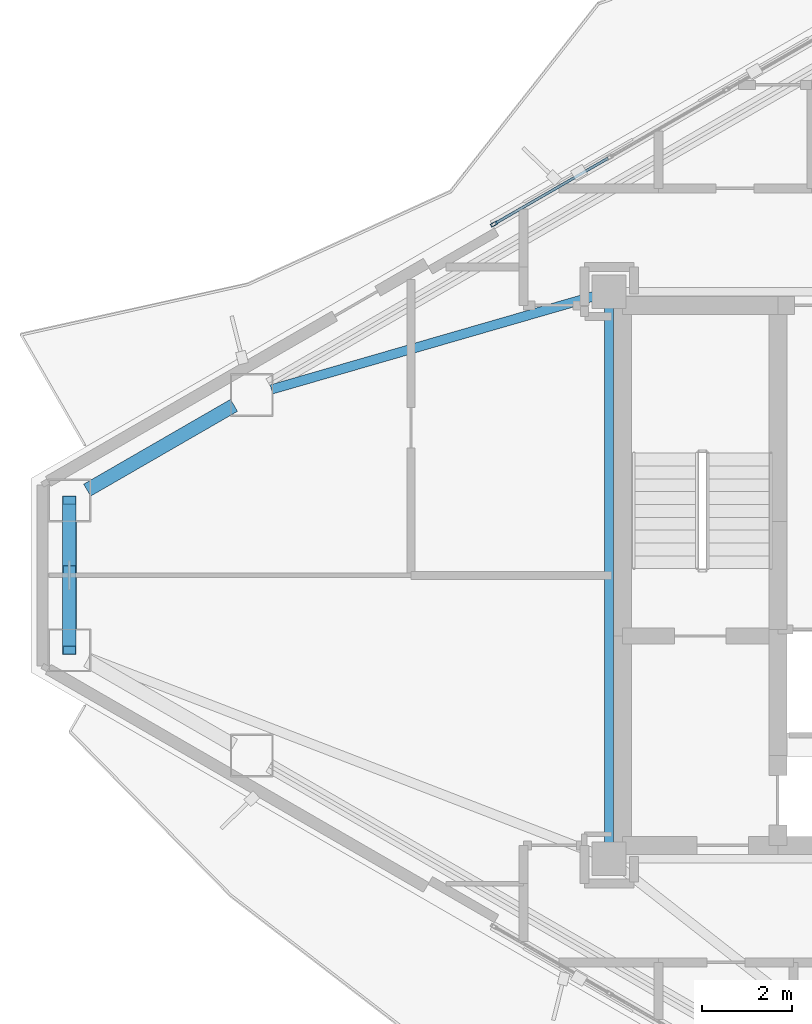
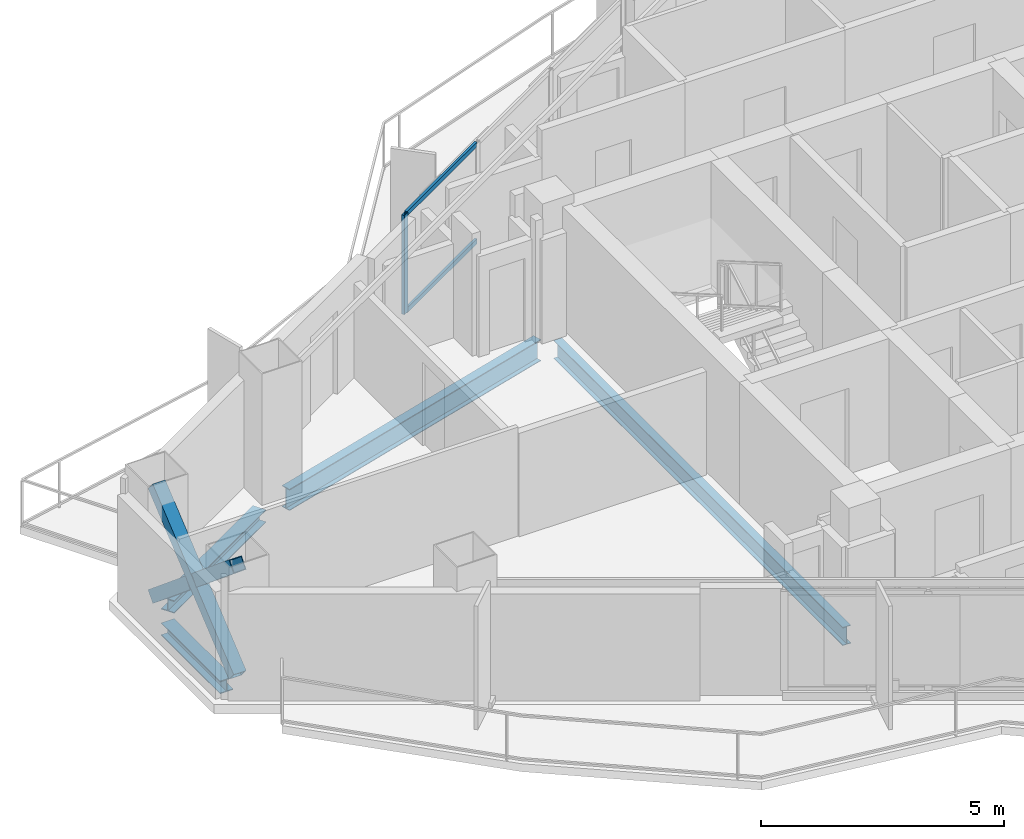
# One storey, part 7 of 21: 6 members, 4 beams, 1 element without a shape of its own.
"""IFC4 building model written with IfcOpenShell, lengths in metres."""

from ifc_helpers import new_model, si_unit, direction, frame, origin, origin_2d, place, context, subcontext, project, spatial, hollow_rectangle, i_section, extrude, material, layer, layer_set, material_profile, profile_set, type_object, element, aggregate, save


model = new_model("IFC4")

# Units and contexts
model_context = context("Model", 3, precision=1e-05, world=origin(), true_north=direction((0.0, 1.0)))
body_context = subcontext(model_context, "Body", "Model", "MODEL_VIEW")
ifc_project = project(units=[si_unit("LENGTHUNIT", "METRE"), si_unit("AREAUNIT", "SQUARE_METRE"), si_unit("VOLUMEUNIT", "CUBIC_METRE"), si_unit("PLANEANGLEUNIT", "RADIAN"), si_unit("MASSUNIT", "GRAM", prefix="KILO")], contexts=[model_context])

# Site, building, storey
site_placement = place(None, origin())
site = spatial("IfcSite", under=ifc_project, at=site_placement, CompositionType="ELEMENT")
building_placement = place(site_placement, origin())
building = spatial("IfcBuilding", under=site, at=building_placement, Name="Mersakhor Tower and Convention Hall", CompositionType="ELEMENT")
storey_placement = place(building_placement, frame((0.0, 0.0, 182.10009765625)))
storey = spatial("IfcBuildingStorey", under=building, at=storey_placement, Name="L50", CompositionType="ELEMENT", Elevation=182.10009765625)

# Beams
ifc_material_1 = material(Name="Steel S355", Category="steel")
ifc_material_profile_1 = material_profile(ifc_material_1, i_section(OverallWidth=0.19140625, OverallDepth=0.4599609375, WebThickness=0.010009765625, FlangeThickness=0.01611328125, at=origin_2d()), Name="UB 457x191x82")
ifc_profile_set_1 = profile_set([ifc_material_profile_1], Name="Steel S355")
beam_type_1 = type_object("IfcBeamType", Name="BM-FB-457", PredefinedType="BEAM", material=ifc_profile_set_1)
beam_1_placement = place(storey_placement, frame((21.89990234375, 20.804931640625, -0.460205078125), z_axis=(0.0, 1.0, 0.0), x_axis=(-1.0, 0.0, 0.0)))
element("IfcBeam", 1, at=beam_1_placement, inside=storey, type_object=beam_type_1, Name="L50 Core Ring Tie Beam CRB-1", PredefinedType="BEAM", context=body_context, shape_type="SweptSolid", body=[
    extrude(i_section(OverallWidth=0.19140625, OverallDepth=0.4599609375, WebThickness=0.010009765625, FlangeThickness=0.01611328125, at=origin_2d()), origin(), (0.0, 0.0, 1.0), 11.89013671875),
])
ifc_material_2 = material(Name="Steel S355", Category="steel")
ifc_material_profile_2 = material_profile(ifc_material_2, i_section(OverallWidth=0.2099609375, OverallDepth=0.53662109375, WebThickness=0.0107421875, FlangeThickness=0.017333984375, at=origin_2d()), Name="UB 533x210x101")
ifc_profile_set_2 = profile_set([ifc_material_profile_2], Name="Steel S355")
beam_type_2 = type_object("IfcBeamType", Name="BM-FB-533", PredefinedType="BEAM", material=ifc_profile_set_2)
beam_2_placement = place(storey_placement, frame((21.55908203125, 32.951416015625, -0.498291015625), z_axis=(-0.960669154125, -0.277695474059, 0.0), x_axis=(0.277695474059, -0.960669154125, 0.0)))
element("IfcBeam", 2, at=beam_2_placement, inside=storey, type_object=beam_type_2, Name="L50 Primary Floor Girder FG-1", PredefinedType="BEAM", context=body_context, shape_type="SweptSolid", body=[
    extrude(i_section(OverallWidth=0.2099609375, OverallDepth=0.53662109375, WebThickness=0.0107421875, FlangeThickness=0.017333984375, at=origin_2d()), origin(), (0.0, 0.0, 1.0), 7.455322265625),
])
ifc_material_3 = material(Name="Steel S355", Category="steel")
ifc_material_profile_3 = material_profile(ifc_material_3, i_section(OverallWidth=0.30908203125, OverallDepth=0.320556640625, WebThickness=0.013916015625, FlangeThickness=0.021728515625, at=origin_2d()), Name="UC 305x305x137")
ifc_profile_set_3 = profile_set([ifc_material_profile_3], Name="Steel S355")
beam_type_3 = type_object("IfcBeamType", Name="BM-SPD-UC305", PredefinedType="SPANDREL", material=ifc_profile_set_3)
beam_3_placement = place(storey_placement, frame((10.301513671875, 28.642822265625, -0.390380859375), z_axis=(0.866046450459, 0.499963544319, 0.0), x_axis=(-0.499963544319, 0.866046450459, 0.0)))
element("IfcBeam", 3, at=beam_3_placement, inside=storey, type_object=beam_type_3, Name="L50 Perimeter Spandrel Beam SPB-01", PredefinedType="SPANDREL", context=body_context, shape_type="SweptSolid", body=[
    extrude(i_section(OverallWidth=0.30908203125, OverallDepth=0.320556640625, WebThickness=0.013916015625, FlangeThickness=0.021728515625, at=origin_2d()), origin(), (0.0, 0.0, 1.0), 3.769287109375),
])
beam_4_placement = place(storey_placement, frame((9.907470703125, 25.539794921875, -0.390380859375), z_axis=(0.0, 1.0, 0.0), x_axis=(-1.0, 0.0, 0.0)))
element("IfcBeam", 4, at=beam_4_placement, inside=storey, type_object=beam_type_3, Name="L50 Perimeter Spandrel Beam SPB-12", PredefinedType="SPANDREL", context=body_context, shape_type="SweptSolid", body=[
    extrude(i_section(OverallWidth=0.30908203125, OverallDepth=0.320556640625, WebThickness=0.013916015625, FlangeThickness=0.021728515625, at=origin_2d()), origin(), (0.0, 0.0, 1.0), 2.42041015625),
])

# Curtain wall, members
ifc_material_4 = material(Name="Dark solar low-E aluminium curtain wall", Category="aluminium")
ifc_layer = layer(ifc_material_4, 0.169921875)
ifc_layer_set = layer_set([ifc_layer], Name="Dark solar low-E aluminium curtain wall")
curtain_wall_type = type_object("IfcCurtainWallType", Name="CW-SYS-02", PredefinedType="USERDEFINED", material=ifc_layer_set)
curtain_wall_placement = place(storey_placement, origin())
curtain_wall = element("IfcCurtainWall", 5, at=curtain_wall_placement, inside=storey, type_object=curtain_wall_type, Name="L50 Dark-Glass Curtain Wall F1-B2", ObjectType="CURTAIN WALL", PredefinedType="USERDEFINED")
ifc_material_5 = material(Name="Anodised aluminium EN AW-6063 T6", Category="aluminium")
ifc_material_profile_4 = material_profile(ifc_material_5, hollow_rectangle(XDim=0.074951171875, YDim=0.14990234375, WallThickness=0.00634765625, at=origin_2d()), Name="RHS 150x75x6.3")
ifc_profile_set_4 = profile_set([ifc_material_profile_4], Name="Anodised aluminium EN AW-6063 T6")
member_type_1 = type_object("IfcMemberType", Name="CWM-150x75", PredefinedType="MULLION", material=ifc_profile_set_4)
member_1_placement = place(storey_placement, frame((19.341796875, 34.554931640625, 0.199951171875), z_axis=(0.0, 0.0, 1.0), x_axis=(-0.500007824483, 0.86602088627, 0.0)))
member_1 = element("IfcMember", 6, at=member_1_placement, type_object=member_type_1, Name="CW-02 mullion 1", PredefinedType="MULLION", context=body_context, shape_type="SweptSolid", body=[
    extrude(hollow_rectangle(XDim=0.074951171875, YDim=0.14990234375, WallThickness=0.00634765625, at=origin_2d()), origin(), (0.0, 0.0, 1.0), 2.489990234375),
])
ifc_material_6 = material(Name="Anodised aluminium EN AW-6063 T6", Category="aluminium")
ifc_material_profile_5 = material_profile(ifc_material_6, hollow_rectangle(XDim=0.06005859375, YDim=0.1201171875, WallThickness=0.0048828125, at=origin_2d()), Name="RHS 120x60x5")
ifc_profile_set_5 = profile_set([ifc_material_profile_5], Name="Anodised aluminium EN AW-6063 T6")
member_type_2 = type_object("IfcMemberType", Name="CWT-120x60", PredefinedType="USERDEFINED", material=ifc_profile_set_5)
member_2_placement = place(storey_placement, frame((19.374267578125, 34.573486328125, 0.22998046875), z_axis=(0.86601237176, 0.50002257145, 0.0), x_axis=(-0.50002257145, 0.86601237176, 0.0)))
member_2 = element("IfcMember", 7, at=member_2_placement, type_object=member_type_2, Name="CW-02 transom 1.1", ObjectType="TRANSOM", PredefinedType="USERDEFINED", context=body_context, shape_type="SweptSolid", body=[
    extrude(hollow_rectangle(XDim=0.06005859375, YDim=0.1201171875, WallThickness=0.0048828125, at=origin_2d()), origin(), (0.0, 0.0, 1.0), 2.886962890625),
])
member_3_placement = place(storey_placement, frame((19.374267578125, 34.573486328125, 2.659912109375), z_axis=(0.86601237176, 0.50002257145, 0.0), x_axis=(-0.50002257145, 0.86601237176, 0.0)))
member_3 = element("IfcMember", 8, at=member_3_placement, type_object=member_type_2, Name="CW-02 transom 1.2", ObjectType="TRANSOM", PredefinedType="USERDEFINED", context=body_context, shape_type="SweptSolid", body=[
    extrude(hollow_rectangle(XDim=0.06005859375, YDim=0.1201171875, WallThickness=0.0048828125, at=origin_2d()), origin(), (0.0, 0.0, 1.0), 2.886962890625),
])
aggregate(curtain_wall, [member_1, member_2, member_3])

# Members
ifc_material_7 = material(Name="Steel S355", Category="steel")
ifc_material_profile_6 = material_profile(ifc_material_7, hollow_rectangle(XDim=0.300048828125, YDim=0.300048828125, WallThickness=0.01611328125, at=origin_2d()), Name="SHS 300x300x16")
ifc_profile_set_6 = profile_set([ifc_material_profile_6], Name="Steel S355")
member_type_3 = type_object("IfcMemberType", Name="MB-BRC-SHS300", PredefinedType="BRACE", material=ifc_profile_set_6)
member_4_placement = place(storey_placement, frame((9.907470703125, 25.084716796875, 0.14990234375), z_axis=(0.0, 0.768839937868, 0.639441279508), x_axis=(-1.0, 0.0, 0.0)))
element("IfcMember", 9, at=member_4_placement, inside=storey, type_object=member_type_3, Name="L50 Chamfer Braced Frame Diagonal CB-3A", PredefinedType="BRACE", context=body_context, shape_type="SweptSolid", body=[
    extrude(hollow_rectangle(XDim=0.300048828125, YDim=0.300048828125, WallThickness=0.01611328125, at=origin_2d()), origin(), (0.0, 0.0, 1.0), 4.33203125),
])
for number, where, z_axis, x_axis, name in (
    (10, (9.907470703125, 28.415283203125, 0.14990234375), (0.0, -0.768899389676, 0.639369790149), (1.0, 0.0, 0.0), "L50 Chamfer Braced Frame Diagonal CB-3B Lower Half"),
    (11, (9.907470703125, 26.626708984375, 1.6376953125), (0.0, -0.768899389676, 0.639369790149), (1.0, 0.0, 0.0), "L50 Chamfer Braced Frame Diagonal CB-3B Upper Half"),
):
    element("IfcMember", number, at=place(storey_placement, frame(where, z_axis=z_axis, x_axis=x_axis)), inside=storey, type_object=member_type_3, Name=name, PredefinedType="BRACE", context=body_context, shape_type="SweptSolid", body=[
        extrude(hollow_rectangle(XDim=0.300048828125, YDim=0.300048828125, WallThickness=0.01611328125, at=origin_2d()), origin(), (0.0, 0.0, 1.0), 2.00537109375),
    ])

save(model, "model.ifc")
